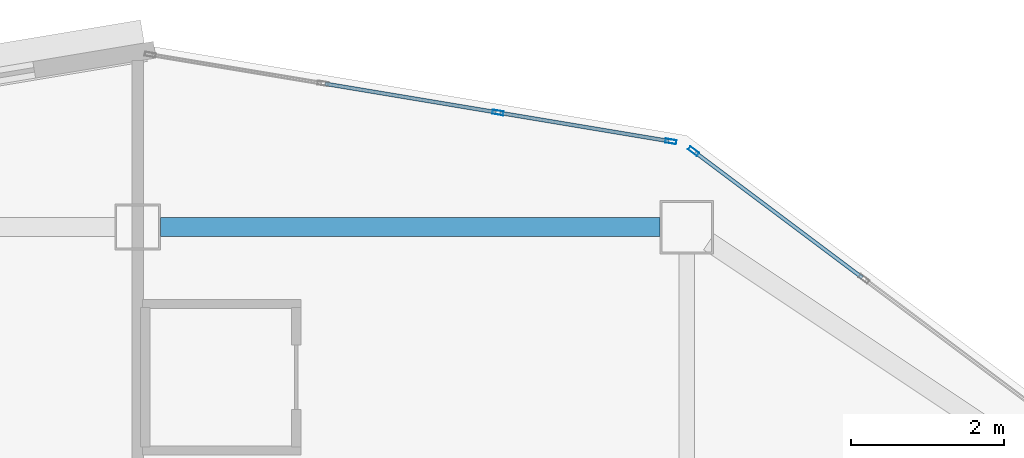
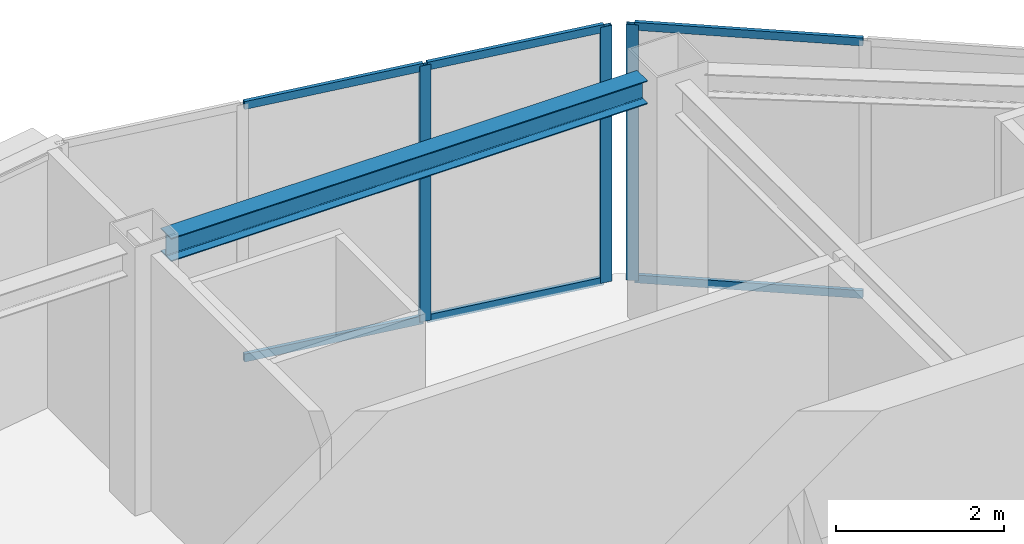
# One storey, part 6 of 12: 9 members, 1 beam, 2 elements without a shape of their own.
"""IFC4 building model written with IfcOpenShell, lengths in metres."""

from ifc_helpers import new_model, si_unit, direction, frame, origin, origin_2d, place, context, subcontext, project, spatial, hollow_rectangle, i_section, extrude, material, layer, layer_set, material_profile, profile_set, type_object, element, aggregate, save


model = new_model("IFC4")

# Units and contexts
model_context = context("Model", 3, precision=1e-05, world=origin(), true_north=direction((0.0, 1.0)))
body_context = subcontext(model_context, "Body", "Model", "MODEL_VIEW")
ifc_project = project(units=[si_unit("LENGTHUNIT", "METRE"), si_unit("AREAUNIT", "SQUARE_METRE"), si_unit("VOLUMEUNIT", "CUBIC_METRE"), si_unit("PLANEANGLEUNIT", "RADIAN"), si_unit("MASSUNIT", "GRAM", prefix="KILO")], contexts=[model_context])

# Site, building, storey
site_placement = place(None, origin())
site = spatial("IfcSite", under=ifc_project, at=site_placement, CompositionType="ELEMENT")
building_placement = place(site_placement, origin())
building = spatial("IfcBuilding", under=site, at=building_placement, Name="Haolan Belvedere Tower", CompositionType="ELEMENT")
storey_placement = place(building_placement, frame((0.0, 0.0, 282.199951171875)))
storey = spatial("IfcBuildingStorey", under=building, at=storey_placement, Name="L71", CompositionType="ELEMENT", Elevation=282.199951171875)

# Beam
ifc_material_1 = material(Name="Steel Q355B", Category="steel")
ifc_material_profile_1 = material_profile(ifc_material_1, i_section(OverallWidth=0.25, OverallDepth=0.340087890625, WebThickness=0.009033203125, FlangeThickness=0.013916015625, FilletRadius=0.02001953125, at=origin_2d()), Name="Steel Q355B")
ifc_profile_set_1 = profile_set([ifc_material_profile_1], Name="Steel Q355B")
beam_type = type_object("IfcBeamType", Name="BM-HM340x250x9x14", PredefinedType="SPANDREL", material=ifc_profile_set_1)
beam_placement = place(storey_placement, frame((38.699951171875, 50.39990234375, 3.550048828125), z_axis=(1.0, 0.0, 0.0), x_axis=(0.0, 1.0, 0.0)))
element("IfcBeam", 1, at=beam_placement, inside=storey, type_object=beam_type, Name="L71 spandrel girder TC-T3-NM-MC-T3-N2", PredefinedType="SPANDREL", context=body_context, shape_type="SweptSolid", body=[
    extrude(i_section(OverallWidth=0.25, OverallDepth=0.340087890625, WebThickness=0.009033203125, FlangeThickness=0.013916015625, FilletRadius=0.02001953125, at=origin_2d()), origin(), (0.0, 0.0, 1.0), 6.550048828125),
])

# Curtain wall, member
ifc_material_2 = material(Name="Anodised champagne-silver aluminium 6063-T6 and Low-E glass", Category="aluminium")
ifc_layer = layer(ifc_material_2, 0.14501953125, Name="Anodised champagne-silver aluminium 6063-T6 and Low-E glass")
ifc_layer_set = layer_set([ifc_layer], Name="Anodised champagne-silver aluminium 6063-T6 and Low-E glass")
curtain_wall_type = type_object("IfcCurtainWallType", Name="CW-SYS-05", PredefinedType="NOTDEFINED", material=ifc_layer_set)
curtain_wall_1_placement = place(storey_placement, origin())
curtain_wall_1 = element("IfcCurtainWall", 2, at=curtain_wall_1_placement, inside=storey, type_object=curtain_wall_type, Name="L71 CW-SYS-05 ribbon curtain wall 8.1", PredefinedType="NOTDEFINED")
ifc_material_3 = material(Name="Anodised aluminium 6063-T6", Category="aluminium")
ifc_material_profile_2 = material_profile(ifc_material_3, hollow_rectangle(XDim=0.053955078125, YDim=0.14501953125, WallThickness=0.00390625, at=origin_2d()), Name="Anodised aluminium 6063-T6")
ifc_profile_set_2 = profile_set([ifc_material_profile_2], Name="Anodised aluminium 6063-T6")
member_type_1 = type_object("IfcMemberType", Name="CW-SYS-05-MUL", PredefinedType="MULLION", material=ifc_profile_set_2)
member_1_placement = place(storey_placement, frame((45.689208984375, 51.395751953125, 0.0), z_axis=(0.0, 0.0, 1.0), x_axis=(-0.600002837806, -0.799997871638, 0.0)))
member_1 = element("IfcMember", 3, at=member_1_placement, type_object=member_type_1, Name="CW-05 mullion 3", PredefinedType="MULLION", context=body_context, shape_type="SweptSolid", body=[
    extrude(hollow_rectangle(XDim=0.053955078125, YDim=0.14501953125, WallThickness=0.00390625, at=origin_2d()), origin(), (0.0, 0.0, 1.0), 3.719970703125),
])

# Curtain wall, members
curtain_wall_2_placement = place(storey_placement, origin())
curtain_wall_2 = element("IfcCurtainWall", 4, at=curtain_wall_2_placement, inside=storey, type_object=curtain_wall_type, Name="L71 CW-SYS-05 ribbon curtain wall 9.1", PredefinedType="NOTDEFINED")
member_2_placement = place(storey_placement, frame((45.390869140625, 51.5234375, 0.0), z_axis=(0.0, 0.0, 1.0), x_axis=(-0.164405962825, -0.98639276122, 0.0)))
member_2 = element("IfcMember", 5, at=member_2_placement, type_object=member_type_1, Name="CW-05 mullion 1", PredefinedType="MULLION", context=body_context, shape_type="SweptSolid", body=[
    extrude(hollow_rectangle(XDim=0.053955078125, YDim=0.14501953125, WallThickness=0.00390625, at=origin_2d()), origin(), (0.0, 0.0, 1.0), 3.719970703125),
])
member_3_placement = place(storey_placement, frame((43.124267578125, 51.901123046875, 0.0), z_axis=(0.0, 0.0, 1.0), x_axis=(-0.164405962825, -0.98639276122, 0.0)))
member_3 = element("IfcMember", 6, at=member_3_placement, type_object=member_type_1, Name="CW-05 mullion 2", PredefinedType="MULLION", context=body_context, shape_type="SweptSolid", body=[
    extrude(hollow_rectangle(XDim=0.053955078125, YDim=0.14501953125, WallThickness=0.00390625, at=origin_2d()), origin(), (0.0, 0.0, 1.0), 3.719970703125),
])

# Member
ifc_material_profile_3 = material_profile(ifc_material_3, hollow_rectangle(XDim=0.050048828125, YDim=0.114990234375, WallThickness=0.00390625, at=origin_2d()), Name="Anodised aluminium 6063-T6")
ifc_profile_set_3 = profile_set([ifc_material_profile_3], Name="Anodised aluminium 6063-T6")
member_type_2 = type_object("IfcMemberType", Name="CW-SYS-05-TRN", PredefinedType="USERDEFINED", material=ifc_profile_set_3)
member_4_placement = place(storey_placement, frame((47.901123046875, 49.736572265625, 0.025146484375), z_axis=(-0.8, 0.6, 0.0), x_axis=(-0.6, -0.8, 0.0)))
member_4 = element("IfcMember", 7, at=member_4_placement, type_object=member_type_2, Name="CW-05 transom 2.1", ObjectType="TRANSOM", PredefinedType="USERDEFINED", context=body_context, shape_type="SweptSolid", body=[
    extrude(hollow_rectangle(XDim=0.050048828125, YDim=0.114990234375, WallThickness=0.00390625, at=origin_2d()), origin(), (0.0, 0.0, 1.0), 2.738037109375),
])

member_5_placement = place(storey_placement, frame((47.901123046875, 49.736572265625, 3.695068359375), z_axis=(-0.8, 0.6, 0.0), x_axis=(-0.6, -0.8, 0.0)))
member_5 = element("IfcMember", 8, at=member_5_placement, type_object=member_type_2, Name="CW-05 transom 2.2", ObjectType="TRANSOM", PredefinedType="USERDEFINED", context=body_context, shape_type="SweptSolid", body=[
    extrude(hollow_rectangle(XDim=0.050048828125, YDim=0.114990234375, WallThickness=0.00390625, at=origin_2d()), origin(), (0.0, 0.0, 1.0), 2.738037109375),
])

aggregate(curtain_wall_1, [member_1, member_4, member_5])

member_6_placement = place(storey_placement, frame((45.364013671875, 51.52783203125, 0.025146484375), z_axis=(-0.986390982779, 0.164416632651, 0.0), x_axis=(-0.164416632651, -0.986390982779, 0.0)))
member_6 = element("IfcMember", 9, at=member_6_placement, type_object=member_type_2, Name="CW-05 transom 1.1", ObjectType="TRANSOM", PredefinedType="USERDEFINED", context=body_context, shape_type="SweptSolid", body=[
    extrude(hollow_rectangle(XDim=0.050048828125, YDim=0.114990234375, WallThickness=0.00390625, at=origin_2d()), origin(), (0.0, 0.0, 1.0), 2.24365234375),
])

member_7_placement = place(storey_placement, frame((45.364013671875, 51.52783203125, 3.695068359375), z_axis=(-0.986390982779, 0.164416632651, 0.0), x_axis=(-0.164416632651, -0.986390982779, 0.0)))
member_7 = element("IfcMember", 10, at=member_7_placement, type_object=member_type_2, Name="CW-05 transom 1.2", ObjectType="TRANSOM", PredefinedType="USERDEFINED", context=body_context, shape_type="SweptSolid", body=[
    extrude(hollow_rectangle(XDim=0.050048828125, YDim=0.114990234375, WallThickness=0.00390625, at=origin_2d()), origin(), (0.0, 0.0, 1.0), 2.24365234375),
])

member_8_placement = place(storey_placement, frame((43.09765625, 51.905517578125, 0.025146484375), z_axis=(-0.986393923832, 0.164398987305, 0.0), x_axis=(-0.164398987305, -0.986393923832, 0.0)))
member_8 = element("IfcMember", 11, at=member_8_placement, type_object=member_type_2, Name="CW-05 transom 2.1", ObjectType="TRANSOM", PredefinedType="USERDEFINED", context=body_context, shape_type="SweptSolid", body=[
    extrude(hollow_rectangle(XDim=0.050048828125, YDim=0.114990234375, WallThickness=0.00390625, at=origin_2d()), origin(), (0.0, 0.0, 1.0), 2.270751953125),
])

member_9_placement = place(storey_placement, frame((43.09765625, 51.905517578125, 3.695068359375), z_axis=(-0.986393923832, 0.164398987305, 0.0), x_axis=(-0.164398987305, -0.986393923832, 0.0)))
member_9 = element("IfcMember", 12, at=member_9_placement, type_object=member_type_2, Name="CW-05 transom 2.2", ObjectType="TRANSOM", PredefinedType="USERDEFINED", context=body_context, shape_type="SweptSolid", body=[
    extrude(hollow_rectangle(XDim=0.050048828125, YDim=0.114990234375, WallThickness=0.00390625, at=origin_2d()), origin(), (0.0, 0.0, 1.0), 2.270751953125),
])

aggregate(curtain_wall_2, [member_2, member_3, member_6, member_7, member_8, member_9])

save(model, "model.ifc")
